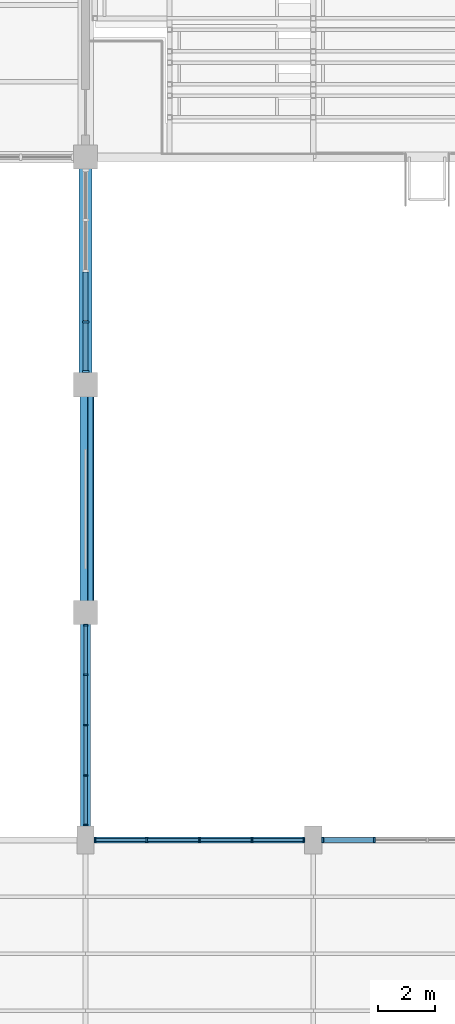
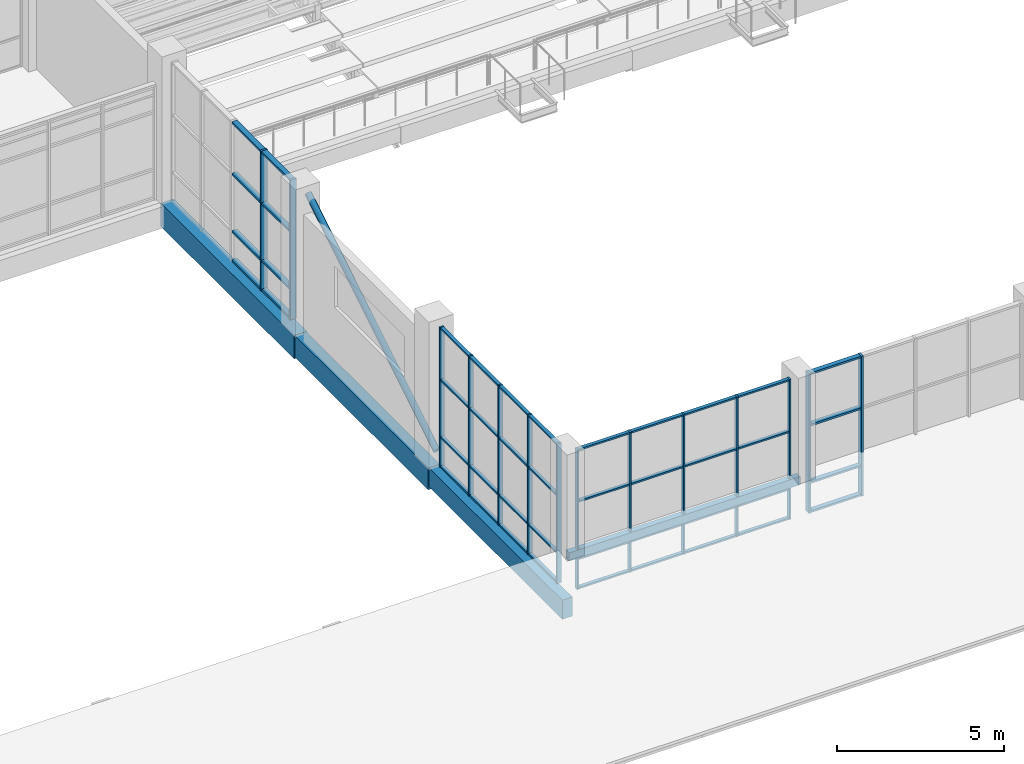
# One storey, part 21 of 122: 59 members, 4 beams, 4 elements without a shape of their own.
"""IFC4 building model written with IfcOpenShell, lengths in metres."""

from ifc_helpers import new_model, si_unit, direction, frame, origin, origin_2d, place, context, subcontext, project, spatial, rectangle, hollow_rectangle, hollow_circle, extrude, material, material_profile, profile_set, type_object, element, aggregate, save


model = new_model("IFC4")

# Units and contexts
model_context = context("Model", 3, precision=1e-05, world=origin(), true_north=direction((0.0, 1.0)))
body_context = subcontext(model_context, "Body", "Model", "MODEL_VIEW")
ifc_project = project(units=[si_unit("LENGTHUNIT", "METRE"), si_unit("AREAUNIT", "SQUARE_METRE"), si_unit("VOLUMEUNIT", "CUBIC_METRE"), si_unit("PLANEANGLEUNIT", "RADIAN"), si_unit("MASSUNIT", "GRAM", prefix="KILO")], contexts=[model_context])

# Site, building, storey
site_placement = place(None, origin())
site = spatial("IfcSite", under=ifc_project, at=site_placement, CompositionType="ELEMENT")
building_placement = place(site_placement, origin())
building = spatial("IfcBuilding", under=site, at=building_placement, Name="Tenunan Teduh Sports Hall", CompositionType="ELEMENT")
storey_placement = place(building_placement, frame((0.0, 0.0, 5.39990234375)))
storey = spatial("IfcBuildingStorey", under=building, at=storey_placement, Name="L01", CompositionType="ELEMENT", Elevation=5.39990234375)

# Beams
ifc_material_1 = material(Name="Concrete C40/50", Category="concrete")
ifc_material_profile_1 = material_profile(ifc_material_1, rectangle(XDim=0.35009765625, YDim=0.699951171875, at=origin_2d()), Name="RCB 350x700")
ifc_profile_set_1 = profile_set([ifc_material_profile_1], Name="Concrete C40/50")
beam_type_1 = type_object("IfcBeamType", Name="BM-RC-350x700", PredefinedType="BEAM", material=ifc_profile_set_1)
beam_1_placement = place(storey_placement, frame((122.0, 14.0, -0.60986328125), z_axis=(0.0, 1.0, 0.0), x_axis=(-1.0, 0.0, 0.0)))
element("IfcBeam", 1, at=beam_1_placement, inside=storey, type_object=beam_type_1, Name="BM-B-06-L01-1265", PredefinedType="BEAM", context=body_context, shape_type="SweptSolid", body=[
    extrude(rectangle(XDim=0.35009765625, YDim=0.699951171875, at=origin_2d()), origin(), (0.0, 0.0, 1.0), 8.0),
])
ifc_material_2 = material(Name="Concrete C40/50", Category="concrete")
ifc_material_profile_2 = material_profile(ifc_material_2, rectangle(XDim=0.39990234375, YDim=0.800048828125, at=origin_2d()), Name="RCB 400x800")
ifc_profile_set_2 = profile_set([ifc_material_profile_2], Name="Concrete C40/50")
beam_type_2 = type_object("IfcBeamType", Name="BM-RC-400x800", PredefinedType="BEAM", material=ifc_profile_set_2)
beam_2_placement = place(storey_placement, frame((122.0, 22.0, -0.659912109375), z_axis=(0.0, 1.0, 0.0), x_axis=(-1.0, 0.0, 0.0)))
element("IfcBeam", 2, at=beam_2_placement, inside=storey, type_object=beam_type_2, Name="BM-B-10-L01-1266", PredefinedType="BEAM", context=body_context, shape_type="SweptSolid", body=[
    extrude(rectangle(XDim=0.39990234375, YDim=0.800048828125, at=origin_2d()), origin(), (0.0, 0.0, 1.0), 8.0),
])
ifc_material_3 = material(Name="Concrete C40/50", Category="concrete")
ifc_material_profile_3 = material_profile(ifc_material_3, rectangle(XDim=0.449951171875, YDim=0.85009765625, at=origin_2d()), Name="RCB 450x850")
ifc_profile_set_3 = profile_set([ifc_material_profile_3], Name="Concrete C40/50")
beam_type_3 = type_object("IfcBeamType", Name="BM-RC-450x850", PredefinedType="BEAM", material=ifc_profile_set_3)
beam_3_placement = place(storey_placement, frame((122.0, 30.0, -0.684814453125), z_axis=(0.0, 1.0, 0.0), x_axis=(-1.0, 0.0, 0.0)))
element("IfcBeam", 3, at=beam_3_placement, inside=storey, type_object=beam_type_3, Name="BM-B-13-L01-1267", PredefinedType="BEAM", context=body_context, shape_type="SweptSolid", body=[
    extrude(rectangle(XDim=0.449951171875, YDim=0.85009765625, at=origin_2d()), origin(), (0.0, 0.0, 1.0), 8.0),
])

# Curtain wall, members
ifc_material_4 = material(Name="Anodised aluminium", Category="aluminium")
curtain_wall_type = type_object("IfcCurtainWallType", Name="CW-UNIT-1", PredefinedType="NOTDEFINED", material=ifc_material_4)
curtain_wall_1_placement = place(storey_placement, origin())
curtain_wall_1 = element("IfcCurtainWall", 4, at=curtain_wall_1_placement, inside=storey, type_object=curtain_wall_type, Name="CW-CWM-150-L01-007", PredefinedType="NOTDEFINED")
ifc_material_5 = material(Name="Anodised aluminium", Category="aluminium")
ifc_material_profile_4 = material_profile(ifc_material_5, rectangle(XDim=0.06005859375, YDim=0.14990234375, at=origin_2d()), Name="CWM 60x150")
ifc_profile_set_4 = profile_set([ifc_material_profile_4], Name="Anodised aluminium")
member_type_1 = type_object("IfcMemberType", Name="CWM-150", PredefinedType="MULLION", material=ifc_profile_set_4)
member_1_placement = place(storey_placement, frame((122.330078125, 14.0, 0.0), z_axis=(0.0, 0.0, 1.0), x_axis=(1.0, 0.0, 0.0)))
member_1 = element("IfcMember", 5, at=member_1_placement, type_object=member_type_1, Name="CW-01 mullion 1", PredefinedType="MULLION", context=body_context, shape_type="SweptSolid", body=[
    extrude(rectangle(XDim=0.06005859375, YDim=0.14990234375, at=origin_2d()), origin(), (0.0, 0.0, 1.0), 5.1201171875),
])
member_2_placement = place(storey_placement, frame((124.14990234375, 14.0, 0.0), z_axis=(0.0, 0.0, 1.0), x_axis=(1.0, 0.0, 0.0)))
member_2 = element("IfcMember", 6, at=member_2_placement, type_object=member_type_1, Name="CW-01 mullion 2", PredefinedType="MULLION", context=body_context, shape_type="SweptSolid", body=[
    extrude(rectangle(XDim=0.06005859375, YDim=0.14990234375, at=origin_2d()), origin(), (0.0, 0.0, 1.0), 5.1201171875),
])
member_3_placement = place(storey_placement, frame((126.0, 14.0, 0.0), z_axis=(0.0, 0.0, 1.0), x_axis=(1.0, 0.0, 0.0)))
member_3 = element("IfcMember", 7, at=member_3_placement, type_object=member_type_1, Name="CW-01 mullion 3", PredefinedType="MULLION", context=body_context, shape_type="SweptSolid", body=[
    extrude(rectangle(XDim=0.06005859375, YDim=0.14990234375, at=origin_2d()), origin(), (0.0, 0.0, 1.0), 5.1201171875),
])
member_4_placement = place(storey_placement, frame((127.85009765625, 14.0, 0.0), z_axis=(0.0, 0.0, 1.0), x_axis=(1.0, 0.0, 0.0)))
member_4 = element("IfcMember", 8, at=member_4_placement, type_object=member_type_1, Name="CW-01 mullion 4", PredefinedType="MULLION", context=body_context, shape_type="SweptSolid", body=[
    extrude(rectangle(XDim=0.06005859375, YDim=0.14990234375, at=origin_2d()), origin(), (0.0, 0.0, 1.0), 5.1201171875),
])
member_5_placement = place(storey_placement, frame((129.669921875, 14.0, 0.0), z_axis=(0.0, 0.0, 1.0), x_axis=(1.0, 0.0, 0.0)))
member_5 = element("IfcMember", 9, at=member_5_placement, type_object=member_type_1, Name="CW-01 mullion 5", PredefinedType="MULLION", context=body_context, shape_type="SweptSolid", body=[
    extrude(rectangle(XDim=0.06005859375, YDim=0.14990234375, at=origin_2d()), origin(), (0.0, 0.0, 1.0), 5.1201171875),
])

curtain_wall_2_placement = place(storey_placement, origin())
curtain_wall_2 = element("IfcCurtainWall", 10, at=curtain_wall_2_placement, inside=storey, type_object=curtain_wall_type, Name="CW-CWM-150-L01-015", PredefinedType="NOTDEFINED")
member_6_placement = place(storey_placement, frame((122.0, 14.530029296875, 0.0), z_axis=(0.0, 0.0, 1.0), x_axis=(0.0, 1.0, 0.0)))
member_6 = element("IfcMember", 11, at=member_6_placement, type_object=member_type_1, Name="CW-01 mullion 1", PredefinedType="MULLION", context=body_context, shape_type="SweptSolid", body=[
    extrude(rectangle(XDim=0.06005859375, YDim=0.14990234375, at=origin_2d()), origin(), (0.0, 0.0, 1.0), 5.1201171875),
])
member_7_placement = place(storey_placement, frame((122.0, 16.268798828125, 0.0), z_axis=(0.0, 0.0, 1.0), x_axis=(0.0, 1.0, 0.0)))
member_7 = element("IfcMember", 12, at=member_7_placement, type_object=member_type_1, Name="CW-01 mullion 2", PredefinedType="MULLION", context=body_context, shape_type="SweptSolid", body=[
    extrude(rectangle(XDim=0.06005859375, YDim=0.14990234375, at=origin_2d()), origin(), (0.0, 0.0, 1.0), 5.1201171875),
])
member_8_placement = place(storey_placement, frame((122.0, 18.03759765625, 0.0), z_axis=(0.0, 0.0, 1.0), x_axis=(0.0, 1.0, 0.0)))
member_8 = element("IfcMember", 13, at=member_8_placement, type_object=member_type_1, Name="CW-01 mullion 3", PredefinedType="MULLION", context=body_context, shape_type="SweptSolid", body=[
    extrude(rectangle(XDim=0.06005859375, YDim=0.14990234375, at=origin_2d()), origin(), (0.0, 0.0, 1.0), 5.1201171875),
])
member_9_placement = place(storey_placement, frame((122.0, 19.80615234375, 0.0), z_axis=(0.0, 0.0, 1.0), x_axis=(0.0, 1.0, 0.0)))
member_9 = element("IfcMember", 14, at=member_9_placement, type_object=member_type_1, Name="CW-01 mullion 4", PredefinedType="MULLION", context=body_context, shape_type="SweptSolid", body=[
    extrude(rectangle(XDim=0.06005859375, YDim=0.14990234375, at=origin_2d()), origin(), (0.0, 0.0, 1.0), 5.1201171875),
])
member_10_placement = place(storey_placement, frame((122.0, 21.544921875, 0.0), z_axis=(0.0, 0.0, 1.0), x_axis=(0.0, 1.0, 0.0)))
member_10 = element("IfcMember", 15, at=member_10_placement, type_object=member_type_1, Name="CW-01 mullion 5", PredefinedType="MULLION", context=body_context, shape_type="SweptSolid", body=[
    extrude(rectangle(XDim=0.06005859375, YDim=0.14990234375, at=origin_2d()), origin(), (0.0, 0.0, 1.0), 5.1201171875),
])

curtain_wall_3_placement = place(storey_placement, origin())
curtain_wall_3 = element("IfcCurtainWall", 16, at=curtain_wall_3_placement, inside=storey, type_object=curtain_wall_type, Name="CW-CWM-200-L01-008", PredefinedType="NOTDEFINED")
ifc_material_6 = material(Name="Anodised aluminium", Category="aluminium")
ifc_material_profile_5 = material_profile(ifc_material_6, rectangle(XDim=0.070068359375, YDim=0.199951171875, at=origin_2d()), Name="CWM 70x200")
ifc_profile_set_5 = profile_set([ifc_material_profile_5], Name="Anodised aluminium")
member_type_2 = type_object("IfcMemberType", Name="CWM-200", PredefinedType="MULLION", material=ifc_profile_set_5)
member_11_placement = place(storey_placement, frame((130.3349609375, 14.0, 0.0), z_axis=(0.0, 0.0, 1.0), x_axis=(1.0, 0.0, 0.0)))
member_11 = element("IfcMember", 17, at=member_11_placement, type_object=member_type_2, Name="CW-01 mullion 1", PredefinedType="MULLION", context=body_context, shape_type="SweptSolid", body=[
    extrude(rectangle(XDim=0.070068359375, YDim=0.199951171875, at=origin_2d()), origin(), (0.0, 0.0, 1.0), 5.1201171875),
])
member_12_placement = place(storey_placement, frame((132.14990234375, 14.0, 0.0), z_axis=(0.0, 0.0, 1.0), x_axis=(1.0, 0.0, 0.0)))
member_12 = element("IfcMember", 18, at=member_12_placement, type_object=member_type_2, Name="CW-01 mullion 2", PredefinedType="MULLION", context=body_context, shape_type="SweptSolid", body=[
    extrude(rectangle(XDim=0.070068359375, YDim=0.199951171875, at=origin_2d()), origin(), (0.0, 0.0, 1.0), 5.1201171875),
])

curtain_wall_4_placement = place(storey_placement, origin())
curtain_wall_4 = element("IfcCurtainWall", 19, at=curtain_wall_4_placement, inside=storey, type_object=curtain_wall_type, Name="CW-CWM-220-L01-017", PredefinedType="NOTDEFINED")
ifc_material_7 = material(Name="Anodised aluminium", Category="aluminium")
ifc_material_profile_6 = material_profile(ifc_material_7, rectangle(XDim=0.074951171875, YDim=0.219970703125, at=origin_2d()), Name="CWM 75x220")
ifc_profile_set_6 = profile_set([ifc_material_profile_6], Name="Anodised aluminium")
member_type_3 = type_object("IfcMemberType", Name="CWM-220", PredefinedType="MULLION", material=ifc_profile_set_6)
member_13_placement = place(storey_placement, frame((122.0, 30.46240234375, 0.0), z_axis=(0.0, 0.0, 1.0), x_axis=(0.0, 1.0, 0.0)))
member_13 = element("IfcMember", 20, at=member_13_placement, type_object=member_type_3, Name="CW-01 mullion 1", PredefinedType="MULLION", context=body_context, shape_type="SweptSolid", body=[
    extrude(rectangle(XDim=0.074951171875, YDim=0.219970703125, at=origin_2d()), origin(), (0.0, 0.0, 1.0), 5.1201171875),
])
member_14_placement = place(storey_placement, frame((122.0, 32.21240234375, 0.0), z_axis=(0.0, 0.0, 1.0), x_axis=(0.0, 1.0, 0.0)))
member_14 = element("IfcMember", 21, at=member_14_placement, type_object=member_type_3, Name="CW-01 mullion 2", PredefinedType="MULLION", context=body_context, shape_type="SweptSolid", body=[
    extrude(rectangle(XDim=0.074951171875, YDim=0.219970703125, at=origin_2d()), origin(), (0.0, 0.0, 1.0), 5.1201171875),
])

# Member
ifc_material_8 = material(Name="Anodised aluminium", Category="aluminium")
ifc_material_profile_7 = material_profile(ifc_material_8, rectangle(XDim=0.06005859375, YDim=0.1201171875, at=origin_2d()), Name="CWT 60x120")
ifc_profile_set_7 = profile_set([ifc_material_profile_7], Name="Anodised aluminium")
member_type_4 = type_object("IfcMemberType", Name="CWT-125", PredefinedType="USERDEFINED", material=ifc_profile_set_7)
member_15_placement = place(storey_placement, frame((122.360107421875, 14.0, 0.030029296875), z_axis=(1.0, 0.0, 0.0), x_axis=(0.0, 0.0, 1.0)))
member_15 = element("IfcMember", 22, at=member_15_placement, type_object=member_type_4, Name="CW-01 transom 1.1", ObjectType="TRANSOM", PredefinedType="USERDEFINED", context=body_context, shape_type="SweptSolid", body=[
    extrude(rectangle(XDim=0.06005859375, YDim=0.1201171875, at=origin_2d()), origin(), (0.0, 0.0, 1.0), 1.760009765625),
])

member_16_placement = place(storey_placement, frame((122.360107421875, 14.0, 1.10009765625), z_axis=(1.0, 0.0, 0.0), x_axis=(0.0, 0.0, 1.0)))
member_16 = element("IfcMember", 23, at=member_16_placement, type_object=member_type_4, Name="CW-01 transom 1.2", ObjectType="TRANSOM", PredefinedType="USERDEFINED", context=body_context, shape_type="SweptSolid", body=[
    extrude(rectangle(XDim=0.06005859375, YDim=0.1201171875, at=origin_2d()), origin(), (0.0, 0.0, 1.0), 1.760009765625),
])

member_17_placement = place(storey_placement, frame((122.360107421875, 14.0, 3.2001953125), z_axis=(1.0, 0.0, 0.0), x_axis=(0.0, 0.0, 1.0)))
member_17 = element("IfcMember", 24, at=member_17_placement, type_object=member_type_4, Name="CW-01 transom 1.3", ObjectType="TRANSOM", PredefinedType="USERDEFINED", context=body_context, shape_type="SweptSolid", body=[
    extrude(rectangle(XDim=0.06005859375, YDim=0.1201171875, at=origin_2d()), origin(), (0.0, 0.0, 1.0), 1.760009765625),
])

member_18_placement = place(storey_placement, frame((122.360107421875, 14.0, 5.090087890625), z_axis=(1.0, 0.0, 0.0), x_axis=(0.0, 0.0, 1.0)))
member_18 = element("IfcMember", 25, at=member_18_placement, type_object=member_type_4, Name="CW-01 transom 1.4", ObjectType="TRANSOM", PredefinedType="USERDEFINED", context=body_context, shape_type="SweptSolid", body=[
    extrude(rectangle(XDim=0.06005859375, YDim=0.1201171875, at=origin_2d()), origin(), (0.0, 0.0, 1.0), 1.760009765625),
])

member_19_placement = place(storey_placement, frame((124.179931640625, 14.0, 0.030029296875), z_axis=(1.0, 0.0, 0.0), x_axis=(0.0, 0.0, 1.0)))
member_19 = element("IfcMember", 26, at=member_19_placement, type_object=member_type_4, Name="CW-01 transom 2.1", ObjectType="TRANSOM", PredefinedType="USERDEFINED", context=body_context, shape_type="SweptSolid", body=[
    extrude(rectangle(XDim=0.06005859375, YDim=0.1201171875, at=origin_2d()), origin(), (0.0, 0.0, 1.0), 1.7900390625),
])

member_20_placement = place(storey_placement, frame((124.179931640625, 14.0, 1.10009765625), z_axis=(1.0, 0.0, 0.0), x_axis=(0.0, 0.0, 1.0)))
member_20 = element("IfcMember", 27, at=member_20_placement, type_object=member_type_4, Name="CW-01 transom 2.2", ObjectType="TRANSOM", PredefinedType="USERDEFINED", context=body_context, shape_type="SweptSolid", body=[
    extrude(rectangle(XDim=0.06005859375, YDim=0.1201171875, at=origin_2d()), origin(), (0.0, 0.0, 1.0), 1.7900390625),
])

member_21_placement = place(storey_placement, frame((124.179931640625, 14.0, 3.2001953125), z_axis=(1.0, 0.0, 0.0), x_axis=(0.0, 0.0, 1.0)))
member_21 = element("IfcMember", 28, at=member_21_placement, type_object=member_type_4, Name="CW-01 transom 2.3", ObjectType="TRANSOM", PredefinedType="USERDEFINED", context=body_context, shape_type="SweptSolid", body=[
    extrude(rectangle(XDim=0.06005859375, YDim=0.1201171875, at=origin_2d()), origin(), (0.0, 0.0, 1.0), 1.7900390625),
])

member_22_placement = place(storey_placement, frame((124.179931640625, 14.0, 5.090087890625), z_axis=(1.0, 0.0, 0.0), x_axis=(0.0, 0.0, 1.0)))
member_22 = element("IfcMember", 29, at=member_22_placement, type_object=member_type_4, Name="CW-01 transom 2.4", ObjectType="TRANSOM", PredefinedType="USERDEFINED", context=body_context, shape_type="SweptSolid", body=[
    extrude(rectangle(XDim=0.06005859375, YDim=0.1201171875, at=origin_2d()), origin(), (0.0, 0.0, 1.0), 1.7900390625),
])

member_23_placement = place(storey_placement, frame((126.030029296875, 14.0, 0.030029296875), z_axis=(1.0, 0.0, 0.0), x_axis=(0.0, 0.0, 1.0)))
member_23 = element("IfcMember", 30, at=member_23_placement, type_object=member_type_4, Name="CW-01 transom 3.1", ObjectType="TRANSOM", PredefinedType="USERDEFINED", context=body_context, shape_type="SweptSolid", body=[
    extrude(rectangle(XDim=0.06005859375, YDim=0.1201171875, at=origin_2d()), origin(), (0.0, 0.0, 1.0), 1.7900390625),
])

member_24_placement = place(storey_placement, frame((126.030029296875, 14.0, 1.10009765625), z_axis=(1.0, 0.0, 0.0), x_axis=(0.0, 0.0, 1.0)))
member_24 = element("IfcMember", 31, at=member_24_placement, type_object=member_type_4, Name="CW-01 transom 3.2", ObjectType="TRANSOM", PredefinedType="USERDEFINED", context=body_context, shape_type="SweptSolid", body=[
    extrude(rectangle(XDim=0.06005859375, YDim=0.1201171875, at=origin_2d()), origin(), (0.0, 0.0, 1.0), 1.7900390625),
])

member_25_placement = place(storey_placement, frame((126.030029296875, 14.0, 3.2001953125), z_axis=(1.0, 0.0, 0.0), x_axis=(0.0, 0.0, 1.0)))
member_25 = element("IfcMember", 32, at=member_25_placement, type_object=member_type_4, Name="CW-01 transom 3.3", ObjectType="TRANSOM", PredefinedType="USERDEFINED", context=body_context, shape_type="SweptSolid", body=[
    extrude(rectangle(XDim=0.06005859375, YDim=0.1201171875, at=origin_2d()), origin(), (0.0, 0.0, 1.0), 1.7900390625),
])

member_26_placement = place(storey_placement, frame((126.030029296875, 14.0, 5.090087890625), z_axis=(1.0, 0.0, 0.0), x_axis=(0.0, 0.0, 1.0)))
member_26 = element("IfcMember", 33, at=member_26_placement, type_object=member_type_4, Name="CW-01 transom 3.4", ObjectType="TRANSOM", PredefinedType="USERDEFINED", context=body_context, shape_type="SweptSolid", body=[
    extrude(rectangle(XDim=0.06005859375, YDim=0.1201171875, at=origin_2d()), origin(), (0.0, 0.0, 1.0), 1.7900390625),
])

member_27_placement = place(storey_placement, frame((127.8798828125, 14.0, 0.030029296875), z_axis=(1.0, 0.0, 0.0), x_axis=(0.0, 0.0, 1.0)))
member_27 = element("IfcMember", 34, at=member_27_placement, type_object=member_type_4, Name="CW-01 transom 4.1", ObjectType="TRANSOM", PredefinedType="USERDEFINED", context=body_context, shape_type="SweptSolid", body=[
    extrude(rectangle(XDim=0.06005859375, YDim=0.1201171875, at=origin_2d()), origin(), (0.0, 0.0, 1.0), 1.760009765625),
])

member_28_placement = place(storey_placement, frame((127.8798828125, 14.0, 1.10009765625), z_axis=(1.0, 0.0, 0.0), x_axis=(0.0, 0.0, 1.0)))
member_28 = element("IfcMember", 35, at=member_28_placement, type_object=member_type_4, Name="CW-01 transom 4.2", ObjectType="TRANSOM", PredefinedType="USERDEFINED", context=body_context, shape_type="SweptSolid", body=[
    extrude(rectangle(XDim=0.06005859375, YDim=0.1201171875, at=origin_2d()), origin(), (0.0, 0.0, 1.0), 1.760009765625),
])

member_29_placement = place(storey_placement, frame((127.8798828125, 14.0, 3.2001953125), z_axis=(1.0, 0.0, 0.0), x_axis=(0.0, 0.0, 1.0)))
member_29 = element("IfcMember", 36, at=member_29_placement, type_object=member_type_4, Name="CW-01 transom 4.3", ObjectType="TRANSOM", PredefinedType="USERDEFINED", context=body_context, shape_type="SweptSolid", body=[
    extrude(rectangle(XDim=0.06005859375, YDim=0.1201171875, at=origin_2d()), origin(), (0.0, 0.0, 1.0), 1.760009765625),
])

member_30_placement = place(storey_placement, frame((127.8798828125, 14.0, 5.090087890625), z_axis=(1.0, 0.0, 0.0), x_axis=(0.0, 0.0, 1.0)))
member_30 = element("IfcMember", 37, at=member_30_placement, type_object=member_type_4, Name="CW-01 transom 4.4", ObjectType="TRANSOM", PredefinedType="USERDEFINED", context=body_context, shape_type="SweptSolid", body=[
    extrude(rectangle(XDim=0.06005859375, YDim=0.1201171875, at=origin_2d()), origin(), (0.0, 0.0, 1.0), 1.760009765625),
])

aggregate(curtain_wall_1, [member_1, member_2, member_3, member_4, member_5, member_15, member_16, member_17, member_18, member_19, member_20, member_21, member_22, member_23, member_24, member_25, member_26, member_27, member_28, member_29, member_30])

member_31_placement = place(storey_placement, frame((122.0, 14.56005859375, 0.030029296875), z_axis=(0.0, 1.0, 0.0), x_axis=(0.0, 0.0, 1.0)))
member_31 = element("IfcMember", 38, at=member_31_placement, type_object=member_type_4, Name="CW-01 transom 1.1", ObjectType="TRANSOM", PredefinedType="USERDEFINED", context=body_context, shape_type="SweptSolid", body=[
    extrude(rectangle(XDim=0.06005859375, YDim=0.1201171875, at=origin_2d()), origin(), (0.0, 0.0, 1.0), 1.6787109375),
])

member_32_placement = place(storey_placement, frame((122.0, 14.56005859375, 1.10009765625), z_axis=(0.0, 1.0, 0.0), x_axis=(0.0, 0.0, 1.0)))
member_32 = element("IfcMember", 39, at=member_32_placement, type_object=member_type_4, Name="CW-01 transom 1.2", ObjectType="TRANSOM", PredefinedType="USERDEFINED", context=body_context, shape_type="SweptSolid", body=[
    extrude(rectangle(XDim=0.06005859375, YDim=0.1201171875, at=origin_2d()), origin(), (0.0, 0.0, 1.0), 1.6787109375),
])

member_33_placement = place(storey_placement, frame((122.0, 14.56005859375, 3.2001953125), z_axis=(0.0, 1.0, 0.0), x_axis=(0.0, 0.0, 1.0)))
member_33 = element("IfcMember", 40, at=member_33_placement, type_object=member_type_4, Name="CW-01 transom 1.3", ObjectType="TRANSOM", PredefinedType="USERDEFINED", context=body_context, shape_type="SweptSolid", body=[
    extrude(rectangle(XDim=0.06005859375, YDim=0.1201171875, at=origin_2d()), origin(), (0.0, 0.0, 1.0), 1.6787109375),
])

member_34_placement = place(storey_placement, frame((122.0, 14.56005859375, 5.090087890625), z_axis=(0.0, 1.0, 0.0), x_axis=(0.0, 0.0, 1.0)))
member_34 = element("IfcMember", 41, at=member_34_placement, type_object=member_type_4, Name="CW-01 transom 1.4", ObjectType="TRANSOM", PredefinedType="USERDEFINED", context=body_context, shape_type="SweptSolid", body=[
    extrude(rectangle(XDim=0.06005859375, YDim=0.1201171875, at=origin_2d()), origin(), (0.0, 0.0, 1.0), 1.6787109375),
])

member_35_placement = place(storey_placement, frame((122.0, 16.298828125, 0.030029296875), z_axis=(0.0, 1.0, 0.0), x_axis=(0.0, 0.0, 1.0)))
member_35 = element("IfcMember", 42, at=member_35_placement, type_object=member_type_4, Name="CW-01 transom 2.1", ObjectType="TRANSOM", PredefinedType="USERDEFINED", context=body_context, shape_type="SweptSolid", body=[
    extrude(rectangle(XDim=0.06005859375, YDim=0.1201171875, at=origin_2d()), origin(), (0.0, 0.0, 1.0), 1.708740234375),
])

member_36_placement = place(storey_placement, frame((122.0, 16.298828125, 1.10009765625), z_axis=(0.0, 1.0, 0.0), x_axis=(0.0, 0.0, 1.0)))
member_36 = element("IfcMember", 43, at=member_36_placement, type_object=member_type_4, Name="CW-01 transom 2.2", ObjectType="TRANSOM", PredefinedType="USERDEFINED", context=body_context, shape_type="SweptSolid", body=[
    extrude(rectangle(XDim=0.06005859375, YDim=0.1201171875, at=origin_2d()), origin(), (0.0, 0.0, 1.0), 1.708740234375),
])

member_37_placement = place(storey_placement, frame((122.0, 16.298828125, 3.2001953125), z_axis=(0.0, 1.0, 0.0), x_axis=(0.0, 0.0, 1.0)))
member_37 = element("IfcMember", 44, at=member_37_placement, type_object=member_type_4, Name="CW-01 transom 2.3", ObjectType="TRANSOM", PredefinedType="USERDEFINED", context=body_context, shape_type="SweptSolid", body=[
    extrude(rectangle(XDim=0.06005859375, YDim=0.1201171875, at=origin_2d()), origin(), (0.0, 0.0, 1.0), 1.708740234375),
])

member_38_placement = place(storey_placement, frame((122.0, 16.298828125, 5.090087890625), z_axis=(0.0, 1.0, 0.0), x_axis=(0.0, 0.0, 1.0)))
member_38 = element("IfcMember", 45, at=member_38_placement, type_object=member_type_4, Name="CW-01 transom 2.4", ObjectType="TRANSOM", PredefinedType="USERDEFINED", context=body_context, shape_type="SweptSolid", body=[
    extrude(rectangle(XDim=0.06005859375, YDim=0.1201171875, at=origin_2d()), origin(), (0.0, 0.0, 1.0), 1.708740234375),
])

member_39_placement = place(storey_placement, frame((122.0, 18.0673828125, 0.030029296875), z_axis=(0.0, 1.0, 0.0), x_axis=(0.0, 0.0, 1.0)))
member_39 = element("IfcMember", 46, at=member_39_placement, type_object=member_type_4, Name="CW-01 transom 3.1", ObjectType="TRANSOM", PredefinedType="USERDEFINED", context=body_context, shape_type="SweptSolid", body=[
    extrude(rectangle(XDim=0.06005859375, YDim=0.1201171875, at=origin_2d()), origin(), (0.0, 0.0, 1.0), 1.708984375),
])

member_40_placement = place(storey_placement, frame((122.0, 18.0673828125, 1.10009765625), z_axis=(0.0, 1.0, 0.0), x_axis=(0.0, 0.0, 1.0)))
member_40 = element("IfcMember", 47, at=member_40_placement, type_object=member_type_4, Name="CW-01 transom 3.2", ObjectType="TRANSOM", PredefinedType="USERDEFINED", context=body_context, shape_type="SweptSolid", body=[
    extrude(rectangle(XDim=0.06005859375, YDim=0.1201171875, at=origin_2d()), origin(), (0.0, 0.0, 1.0), 1.708984375),
])

member_41_placement = place(storey_placement, frame((122.0, 18.0673828125, 3.2001953125), z_axis=(0.0, 1.0, 0.0), x_axis=(0.0, 0.0, 1.0)))
member_41 = element("IfcMember", 48, at=member_41_placement, type_object=member_type_4, Name="CW-01 transom 3.3", ObjectType="TRANSOM", PredefinedType="USERDEFINED", context=body_context, shape_type="SweptSolid", body=[
    extrude(rectangle(XDim=0.06005859375, YDim=0.1201171875, at=origin_2d()), origin(), (0.0, 0.0, 1.0), 1.708984375),
])

member_42_placement = place(storey_placement, frame((122.0, 18.0673828125, 5.090087890625), z_axis=(0.0, 1.0, 0.0), x_axis=(0.0, 0.0, 1.0)))
member_42 = element("IfcMember", 49, at=member_42_placement, type_object=member_type_4, Name="CW-01 transom 3.4", ObjectType="TRANSOM", PredefinedType="USERDEFINED", context=body_context, shape_type="SweptSolid", body=[
    extrude(rectangle(XDim=0.06005859375, YDim=0.1201171875, at=origin_2d()), origin(), (0.0, 0.0, 1.0), 1.708984375),
])

member_43_placement = place(storey_placement, frame((122.0, 19.836181640625, 0.030029296875), z_axis=(0.0, 1.0, 0.0), x_axis=(0.0, 0.0, 1.0)))
member_43 = element("IfcMember", 50, at=member_43_placement, type_object=member_type_4, Name="CW-01 transom 4.1", ObjectType="TRANSOM", PredefinedType="USERDEFINED", context=body_context, shape_type="SweptSolid", body=[
    extrude(rectangle(XDim=0.06005859375, YDim=0.1201171875, at=origin_2d()), origin(), (0.0, 0.0, 1.0), 1.6787109375),
])

member_44_placement = place(storey_placement, frame((122.0, 19.836181640625, 1.10009765625), z_axis=(0.0, 1.0, 0.0), x_axis=(0.0, 0.0, 1.0)))
member_44 = element("IfcMember", 51, at=member_44_placement, type_object=member_type_4, Name="CW-01 transom 4.2", ObjectType="TRANSOM", PredefinedType="USERDEFINED", context=body_context, shape_type="SweptSolid", body=[
    extrude(rectangle(XDim=0.06005859375, YDim=0.1201171875, at=origin_2d()), origin(), (0.0, 0.0, 1.0), 1.6787109375),
])

member_45_placement = place(storey_placement, frame((122.0, 19.836181640625, 3.2001953125), z_axis=(0.0, 1.0, 0.0), x_axis=(0.0, 0.0, 1.0)))
member_45 = element("IfcMember", 52, at=member_45_placement, type_object=member_type_4, Name="CW-01 transom 4.3", ObjectType="TRANSOM", PredefinedType="USERDEFINED", context=body_context, shape_type="SweptSolid", body=[
    extrude(rectangle(XDim=0.06005859375, YDim=0.1201171875, at=origin_2d()), origin(), (0.0, 0.0, 1.0), 1.6787109375),
])

member_46_placement = place(storey_placement, frame((122.0, 19.836181640625, 5.090087890625), z_axis=(0.0, 1.0, 0.0), x_axis=(0.0, 0.0, 1.0)))
member_46 = element("IfcMember", 53, at=member_46_placement, type_object=member_type_4, Name="CW-01 transom 4.4", ObjectType="TRANSOM", PredefinedType="USERDEFINED", context=body_context, shape_type="SweptSolid", body=[
    extrude(rectangle(XDim=0.06005859375, YDim=0.1201171875, at=origin_2d()), origin(), (0.0, 0.0, 1.0), 1.6787109375),
])

aggregate(curtain_wall_2, [member_6, member_7, member_8, member_9, member_10, member_31, member_32, member_33, member_34, member_35, member_36, member_37, member_38, member_39, member_40, member_41, member_42, member_43, member_44, member_45, member_46])

ifc_material_9 = material(Name="Anodised aluminium", Category="aluminium")
ifc_material_profile_8 = material_profile(ifc_material_9, rectangle(XDim=0.074951171875, YDim=0.179931640625, at=origin_2d()), Name="CWT 75x180")
ifc_profile_set_8 = profile_set([ifc_material_profile_8], Name="Anodised aluminium")
member_type_5 = type_object("IfcMemberType", Name="CWT-180", PredefinedType="USERDEFINED", material=ifc_profile_set_8)
member_47_placement = place(storey_placement, frame((122.0, 30.5, 0.03759765625), z_axis=(0.0, 1.0, 0.0), x_axis=(0.0, 0.0, 1.0)))
member_47 = element("IfcMember", 54, at=member_47_placement, type_object=member_type_5, Name="CW-01 transom 1.1", ObjectType="TRANSOM", PredefinedType="USERDEFINED", context=body_context, shape_type="SweptSolid", body=[
    extrude(rectangle(XDim=0.074951171875, YDim=0.179931640625, at=origin_2d()), origin(), (0.0, 0.0, 1.0), 1.675048828125),
])

member_48_placement = place(storey_placement, frame((122.0, 30.5, 1.10009765625), z_axis=(0.0, 1.0, 0.0), x_axis=(0.0, 0.0, 1.0)))
member_48 = element("IfcMember", 55, at=member_48_placement, type_object=member_type_5, Name="CW-01 transom 1.2", ObjectType="TRANSOM", PredefinedType="USERDEFINED", context=body_context, shape_type="SweptSolid", body=[
    extrude(rectangle(XDim=0.074951171875, YDim=0.179931640625, at=origin_2d()), origin(), (0.0, 0.0, 1.0), 1.675048828125),
])

member_49_placement = place(storey_placement, frame((122.0, 30.5, 3.2001953125), z_axis=(0.0, 1.0, 0.0), x_axis=(0.0, 0.0, 1.0)))
member_49 = element("IfcMember", 56, at=member_49_placement, type_object=member_type_5, Name="CW-01 transom 1.3", ObjectType="TRANSOM", PredefinedType="USERDEFINED", context=body_context, shape_type="SweptSolid", body=[
    extrude(rectangle(XDim=0.074951171875, YDim=0.179931640625, at=origin_2d()), origin(), (0.0, 0.0, 1.0), 1.675048828125),
])

member_50_placement = place(storey_placement, frame((122.0, 30.5, 5.08251953125), z_axis=(0.0, 1.0, 0.0), x_axis=(0.0, 0.0, 1.0)))
member_50 = element("IfcMember", 57, at=member_50_placement, type_object=member_type_5, Name="CW-01 transom 1.4", ObjectType="TRANSOM", PredefinedType="USERDEFINED", context=body_context, shape_type="SweptSolid", body=[
    extrude(rectangle(XDim=0.074951171875, YDim=0.179931640625, at=origin_2d()), origin(), (0.0, 0.0, 1.0), 1.675048828125),
])

member_51_placement = place(storey_placement, frame((122.0, 32.25, 0.03759765625), z_axis=(0.0, 1.0, 0.0), x_axis=(0.0, 0.0, 1.0)))
member_51 = element("IfcMember", 58, at=member_51_placement, type_object=member_type_5, Name="CW-01 transom 2.1", ObjectType="TRANSOM", PredefinedType="USERDEFINED", context=body_context, shape_type="SweptSolid", body=[
    extrude(rectangle(XDim=0.074951171875, YDim=0.179931640625, at=origin_2d()), origin(), (0.0, 0.0, 1.0), 1.71240234375),
])

member_52_placement = place(storey_placement, frame((122.0, 32.25, 1.10009765625), z_axis=(0.0, 1.0, 0.0), x_axis=(0.0, 0.0, 1.0)))
member_52 = element("IfcMember", 59, at=member_52_placement, type_object=member_type_5, Name="CW-01 transom 2.2", ObjectType="TRANSOM", PredefinedType="USERDEFINED", context=body_context, shape_type="SweptSolid", body=[
    extrude(rectangle(XDim=0.074951171875, YDim=0.179931640625, at=origin_2d()), origin(), (0.0, 0.0, 1.0), 1.71240234375),
])

member_53_placement = place(storey_placement, frame((122.0, 32.25, 3.2001953125), z_axis=(0.0, 1.0, 0.0), x_axis=(0.0, 0.0, 1.0)))
member_53 = element("IfcMember", 60, at=member_53_placement, type_object=member_type_5, Name="CW-01 transom 2.3", ObjectType="TRANSOM", PredefinedType="USERDEFINED", context=body_context, shape_type="SweptSolid", body=[
    extrude(rectangle(XDim=0.074951171875, YDim=0.179931640625, at=origin_2d()), origin(), (0.0, 0.0, 1.0), 1.71240234375),
])

member_54_placement = place(storey_placement, frame((122.0, 32.25, 5.08251953125), z_axis=(0.0, 1.0, 0.0), x_axis=(0.0, 0.0, 1.0)))
member_54 = element("IfcMember", 61, at=member_54_placement, type_object=member_type_5, Name="CW-01 transom 2.4", ObjectType="TRANSOM", PredefinedType="USERDEFINED", context=body_context, shape_type="SweptSolid", body=[
    extrude(rectangle(XDim=0.074951171875, YDim=0.179931640625, at=origin_2d()), origin(), (0.0, 0.0, 1.0), 1.71240234375),
])

aggregate(curtain_wall_4, [member_13, member_14, member_47, member_48, member_49, member_50, member_51, member_52, member_53, member_54])

ifc_material_10 = material(Name="Anodised aluminium", Category="aluminium")
ifc_material_profile_9 = material_profile(ifc_material_10, rectangle(XDim=0.070068359375, YDim=0.159912109375, at=origin_2d()), Name="CWT 70x160")
ifc_profile_set_9 = profile_set([ifc_material_profile_9], Name="Anodised aluminium")
member_type_6 = type_object("IfcMemberType", Name="CWT-200", PredefinedType="USERDEFINED", material=ifc_profile_set_9)
member_55_placement = place(storey_placement, frame((130.3701171875, 14.0, 0.03515625), z_axis=(1.0, 0.0, 0.0), x_axis=(0.0, 0.0, 1.0)))
member_55 = element("IfcMember", 62, at=member_55_placement, type_object=member_type_6, Name="CW-01 transom 1.1", ObjectType="TRANSOM", PredefinedType="USERDEFINED", context=body_context, shape_type="SweptSolid", body=[
    extrude(rectangle(XDim=0.070068359375, YDim=0.159912109375, at=origin_2d()), origin(), (0.0, 0.0, 1.0), 1.744873046875),
])

member_56_placement = place(storey_placement, frame((130.3701171875, 14.0, 1.10009765625), z_axis=(1.0, 0.0, 0.0), x_axis=(0.0, 0.0, 1.0)))
member_56 = element("IfcMember", 63, at=member_56_placement, type_object=member_type_6, Name="CW-01 transom 1.2", ObjectType="TRANSOM", PredefinedType="USERDEFINED", context=body_context, shape_type="SweptSolid", body=[
    extrude(rectangle(XDim=0.070068359375, YDim=0.159912109375, at=origin_2d()), origin(), (0.0, 0.0, 1.0), 1.744873046875),
])

member_57_placement = place(storey_placement, frame((130.3701171875, 14.0, 3.2001953125), z_axis=(1.0, 0.0, 0.0), x_axis=(0.0, 0.0, 1.0)))
member_57 = element("IfcMember", 64, at=member_57_placement, type_object=member_type_6, Name="CW-01 transom 1.3", ObjectType="TRANSOM", PredefinedType="USERDEFINED", context=body_context, shape_type="SweptSolid", body=[
    extrude(rectangle(XDim=0.070068359375, YDim=0.159912109375, at=origin_2d()), origin(), (0.0, 0.0, 1.0), 1.744873046875),
])

member_58_placement = place(storey_placement, frame((130.3701171875, 14.0, 5.085205078125), z_axis=(1.0, 0.0, 0.0), x_axis=(0.0, 0.0, 1.0)))
member_58 = element("IfcMember", 65, at=member_58_placement, type_object=member_type_6, Name="CW-01 transom 1.4", ObjectType="TRANSOM", PredefinedType="USERDEFINED", context=body_context, shape_type="SweptSolid", body=[
    extrude(rectangle(XDim=0.070068359375, YDim=0.159912109375, at=origin_2d()), origin(), (0.0, 0.0, 1.0), 1.744873046875),
])

aggregate(curtain_wall_3, [member_11, member_12, member_55, member_56, member_57, member_58])

ifc_material_11 = material(Name="Steel S355", Category="steel")
ifc_material_profile_10 = material_profile(ifc_material_11, hollow_circle(Radius=0.109619140625, WallThickness=0.010009765625, at=origin_2d()), Name="CHS 219.1x10.0")
ifc_profile_set_10 = profile_set([ifc_material_profile_10], Name="Steel S355")
member_type_7 = type_object("IfcMemberType", Name="MEM-BR-CHS219", PredefinedType="BRACE", material=ifc_profile_set_10)
member_59_placement = place(storey_placement, frame((122.179931640625, 22.14990234375, 0.150146484375), z_axis=(0.0, 0.851094506608, 0.525012514919), x_axis=(-1.0, 0.0, 0.0)))
element("IfcMember", 66, at=member_59_placement, inside=storey, type_object=member_type_7, Name="MEM-GD-02-L01-1458", PredefinedType="BRACE", context=body_context, shape_type="SweptSolid", body=[
    extrude(hollow_circle(Radius=0.109619140625, WallThickness=0.010009765625, at=origin_2d()), origin(), (0.0, 0.0, 1.0), 9.04736328125),
])

# Beam
ifc_material_12 = material(Name="Steel S355", Category="steel")
ifc_material_profile_11 = material_profile(ifc_material_12, hollow_rectangle(XDim=0.199951171875, YDim=0.300048828125, WallThickness=0.010009765625, at=origin_2d()), Name="RHS 300x200x10.0")
ifc_profile_set_11 = profile_set([ifc_material_profile_11], Name="Steel S355")
beam_type_4 = type_object("IfcBeamType", Name="RBM-RHS300", PredefinedType="BEAM", material=ifc_profile_set_11)
beam_4_placement = place(storey_placement, frame((122.0, 14.0, 1.320068359375), z_axis=(1.0, 0.0, 0.0), x_axis=(0.0, 1.0, 0.0)))
element("IfcBeam", 67, at=beam_4_placement, inside=storey, type_object=beam_type_4, Name="Perimeter Ring Beam BM-RB-03-L01-0557", PredefinedType="BEAM", context=body_context, shape_type="SweptSolid", body=[
    extrude(hollow_rectangle(XDim=0.199951171875, YDim=0.300048828125, WallThickness=0.010009765625, at=origin_2d()), origin(), (0.0, 0.0, 1.0), 8.0),
])

save(model, "model.ifc")
